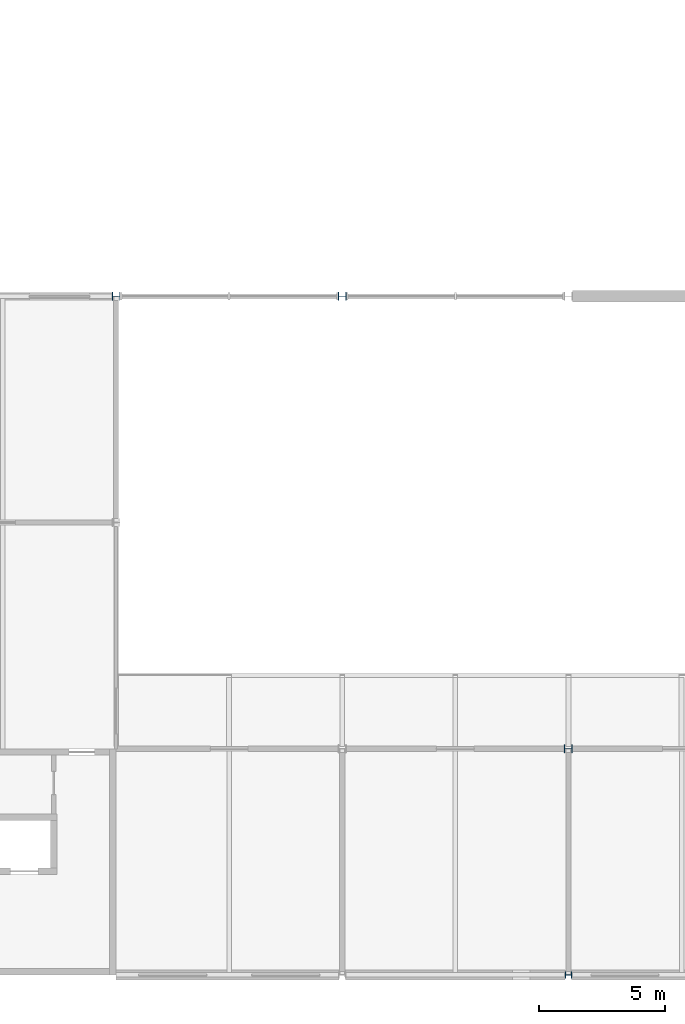
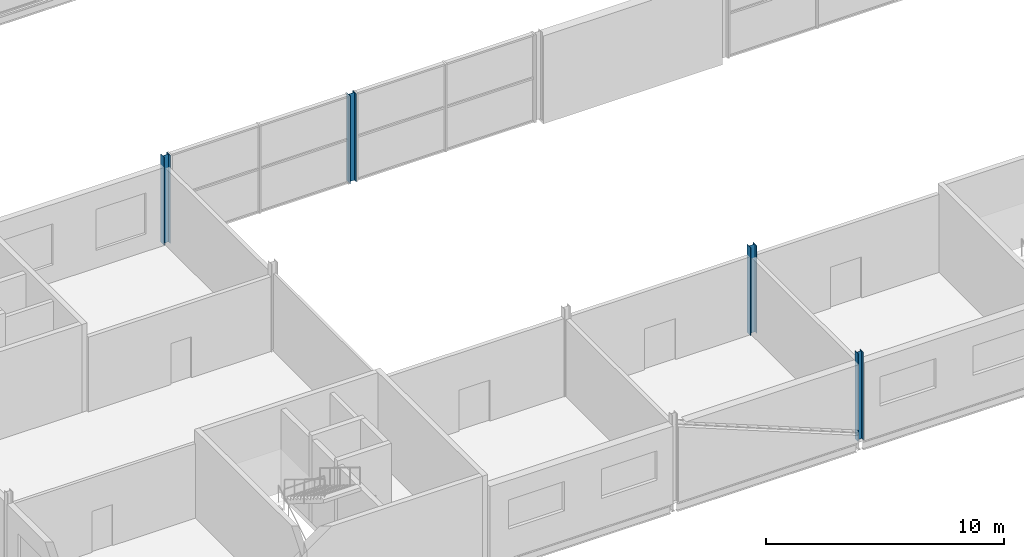
# One storey, part 2 of 97: 4 columns.
"""IFC4 building model written with IfcOpenShell, lengths in metres."""

from ifc_helpers import new_model, si_unit, direction, frame, origin, origin_2d, place, context, subcontext, project, spatial, i_section, extrude, material, material_profile, profile_set, type_object, element, save


model = new_model("IFC4")

# Units and contexts
model_context = context("Model", 3, precision=1e-05, world=origin(), true_north=direction((0.0, 1.0)))
body_context = subcontext(model_context, "Body", "Model", "MODEL_VIEW")
ifc_project = project(units=[si_unit("LENGTHUNIT", "METRE"), si_unit("AREAUNIT", "SQUARE_METRE"), si_unit("VOLUMEUNIT", "CUBIC_METRE"), si_unit("PLANEANGLEUNIT", "RADIAN"), si_unit("MASSUNIT", "GRAM", prefix="KILO")], contexts=[model_context])

# Site, building, storey
site_placement = place(None, origin())
site = spatial("IfcSite", under=ifc_project, at=site_placement, CompositionType="ELEMENT")
building_placement = place(site_placement, origin())
building = spatial("IfcBuilding", under=site, at=building_placement, Name="Corbel Yard City Hall", CompositionType="ELEMENT")
storey_placement = place(building_placement, frame((0.0, 0.0, 6.0)))
storey = spatial("IfcBuildingStorey", under=building, at=storey_placement, Name="L01", CompositionType="ELEMENT", Elevation=6.0)

# Columns
ifc_material = material(Name="Steel Grade 300 (300 MPa yield)", Category="steel")
ifc_material_profile_1 = material_profile(ifc_material, i_section(OverallWidth=0.256103515625, OverallDepth=0.260009765625, WebThickness=0.010498046875, FlangeThickness=0.017333984375, at=origin_2d()), Name="250UC89.5")
ifc_profile_set_1 = profile_set([ifc_material_profile_1], Name="Steel Grade 300 (300 MPa yield)")
column_type_1 = type_object("IfcColumnType", Name="Column 250UC89.5", PredefinedType="COLUMN", material=ifc_profile_set_1)
column_placement = place(storey_placement, frame((36.0, 0.0, 0.0), z_axis=(0.0, 0.0, 1.0), x_axis=(0.0, 1.0, 0.0)))
element("IfcColumn", 1, at=column_placement, inside=storey, type_object=column_type_1, Name="Column 250UC89.5 A/5 L01", PredefinedType="COLUMN", context=body_context, shape_type="SweptSolid", body=[
    extrude(i_section(OverallWidth=0.256103515625, OverallDepth=0.260009765625, WebThickness=0.010498046875, FlangeThickness=0.017333984375, at=origin_2d()), origin(), (0.0, 0.0, 1.0), 4.5),
])
ifc_material_profile_2 = material_profile(ifc_material, i_section(OverallWidth=0.306884765625, OverallDepth=0.31494140625, WebThickness=0.011962890625, FlangeThickness=0.018798828125, at=origin_2d()), Name="310UC118")
ifc_profile_set_2 = profile_set([ifc_material_profile_2], Name="Steel Grade 300 (300 MPa yield)")
column_type_2 = type_object("IfcColumnType", Name="Column 310UC118", PredefinedType="COLUMN", material=ifc_profile_set_2)
for number, where, z_axis, x_axis, name in (
    (2, (18.0, 27.0, 0.0), (0.0, 0.0, 1.0), (0.0, 1.0, 0.0), "Column 310UC118 D/3 L01"),
    (3, (27.0, 27.0, 0.0), (0.0, 0.0, 1.0), (0.0, 1.0, 0.0), "Column 310UC118 D/4 L01"),
    (4, (36.0, 9.0, 0.0), (0.0, 0.0, 1.0), (0.0, 1.0, 0.0), "Column 310UC118 B/5 L01"),
):
    element("IfcColumn", number, at=place(storey_placement, frame(where, z_axis=z_axis, x_axis=x_axis)), inside=storey, type_object=column_type_2, Name=name, PredefinedType="COLUMN", context=body_context, shape_type="SweptSolid", body=[
        extrude(i_section(OverallWidth=0.306884765625, OverallDepth=0.31494140625, WebThickness=0.011962890625, FlangeThickness=0.018798828125, at=origin_2d()), origin(), (0.0, 0.0, 1.0), 4.5),
    ])

save(model, "model.ifc")
